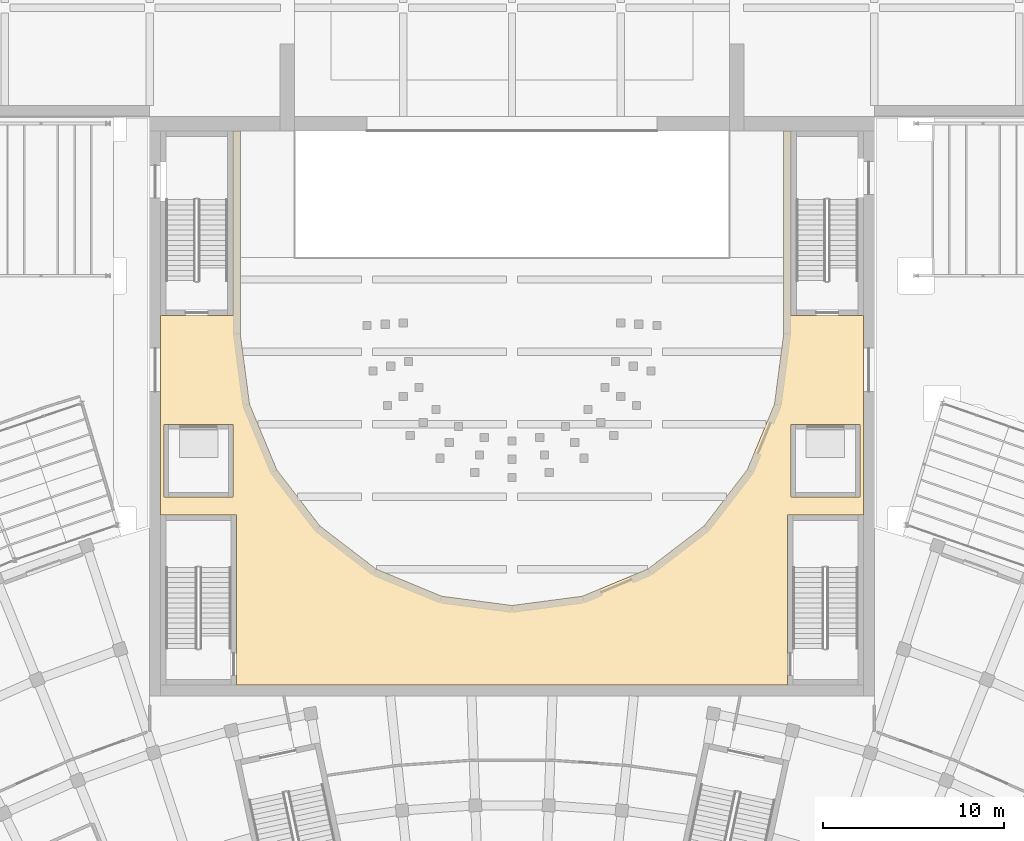
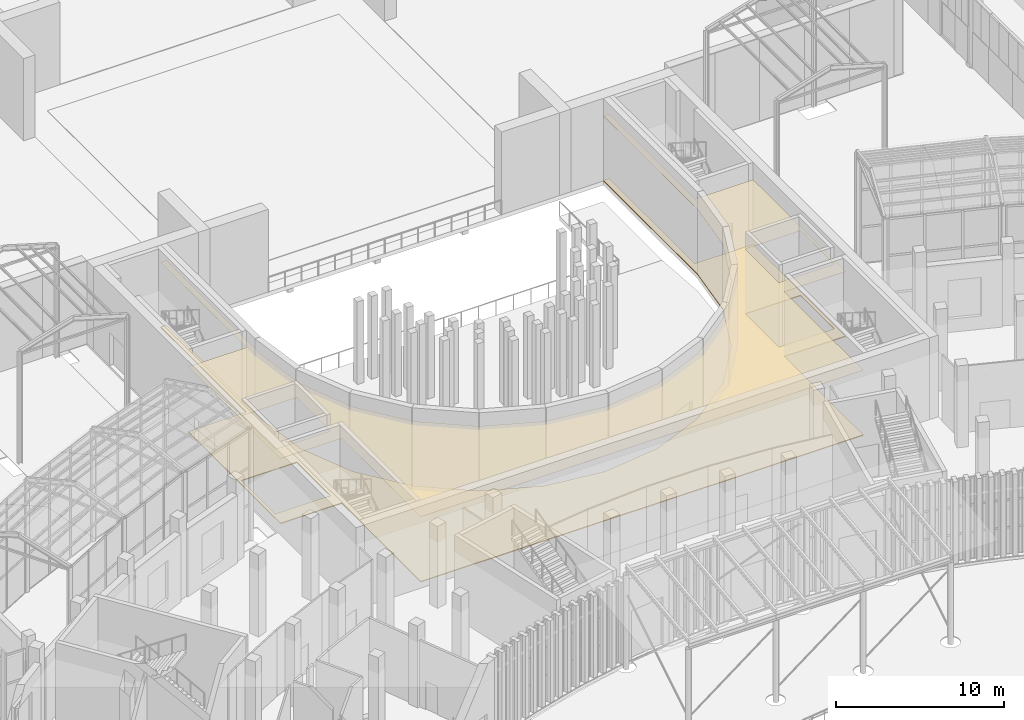
# One storey, part 133 of 155: 2 coverings.
"""IFC4 building model written with IfcOpenShell, lengths in metres."""

from ifc_helpers import new_model, si_unit, direction, frame, origin, place, context, subcontext, project, spatial, polyline, outline, extrude, material, layer, layer_set, type_object, element, save


model = new_model("IFC4")

# Units and contexts
model_context = context("Model", 3, precision=1e-05, world=origin(), true_north=direction((0.0, 1.0)))
body_context = subcontext(model_context, "Body", "Model", "MODEL_VIEW")
ifc_project = project(units=[si_unit("LENGTHUNIT", "METRE"), si_unit("AREAUNIT", "SQUARE_METRE"), si_unit("VOLUMEUNIT", "CUBIC_METRE"), si_unit("PLANEANGLEUNIT", "RADIAN"), si_unit("MASSUNIT", "GRAM", prefix="KILO")], contexts=[model_context])

# Site, building, storey
site_placement = place(None, origin())
site = spatial("IfcSite", under=ifc_project, at=site_placement, CompositionType="ELEMENT")
building_placement = place(site_placement, origin())
building = spatial("IfcBuilding", under=site, at=building_placement, Name="Lunette Opera House", CompositionType="ELEMENT")
storey_placement = place(building_placement, origin())
storey = spatial("IfcBuildingStorey", under=building, at=storey_placement, Name="L00", CompositionType="ELEMENT", Elevation=0.0)

# Coverings
ifc_material_1 = material(Name="Mineral fibre board")
ifc_layer_1 = layer(ifc_material_1, 0.014892578125)
ifc_layer_set_1 = layer_set([ifc_layer_1], Name="Mineral fibre board")
covering_type_1 = type_object("IfcCoveringType", Name="SUSPENDED ACOUSTIC CEILING 15", PredefinedType="CEILING", material=ifc_layer_set_1)
covering_1_placement = place(storey_placement, frame((0.0, 0.0, 4.735107421875)))
element("IfcCovering", 1, at=covering_1_placement, inside=storey, type_object=covering_type_1, Name="Ceiling Stalls Promenade", PredefinedType="CEILING", context=body_context, shape_type="SweptSolid", body=[
    extrude(outline(polyline([(111.199951171875, 74.0), (111.199951171875, 64.60009765625), (80.800048828125, 64.60009765625), (80.800048828125, 74.0), (76.60009765625, 74.0), (76.60009765625, 85.0), (80.60009765625, 85.0), (80.60009765625, 95.199951171875), (81.0, 95.199951171875), (81.0, 84.0), (81.510986328125, 80.117919921875), (83.010009765625, 76.5), (85.39306640625, 73.39306640625), (88.5, 71.010009765625), (92.117919921875, 69.510986328125), (96.0, 69.0), (99.882080078125, 69.510986328125), (103.5, 71.010009765625), (106.60693359375, 73.39306640625), (108.989990234375, 76.5), (110.489013671875, 80.117919921875), (111.0, 84.0), (111.0, 95.199951171875), (111.39990234375, 95.199951171875), (111.39990234375, 85.0), (115.39990234375, 85.0), (115.39990234375, 74.0), (111.199951171875, 74.0)]), holes=[polyline([(115.199951171875, 75.0), (115.199951171875, 79.0), (111.39990234375, 79.0), (111.39990234375, 75.0), (115.199951171875, 75.0)]), polyline([(76.800048828125, 75.0), (80.60009765625, 75.0), (80.60009765625, 79.0), (76.800048828125, 79.0), (76.800048828125, 75.0)])]), origin(), (0.0, 0.0, 1.0), 0.014892578125),
])
ifc_material_2 = material(Name="Terrazzo")
ifc_layer_2 = layer(ifc_material_2, 0.06005859375)
ifc_layer_set_2 = layer_set([ifc_layer_2], Name="Terrazzo")
covering_type_2 = type_object("IfcCoveringType", Name="TERRAZZO FLOOR FINISH 60", PredefinedType="FLOORING", material=ifc_layer_set_2)
covering_2_placement = place(storey_placement, origin())
element("IfcCovering", 2, at=covering_2_placement, inside=storey, type_object=covering_type_2, Name="Floor finish Stalls Promenade", PredefinedType="FLOORING", context=body_context, shape_type="SweptSolid", body=[
    extrude(outline(polyline([(111.199951171875, 74.0), (111.199951171875, 64.60009765625), (80.800048828125, 64.60009765625), (80.800048828125, 74.0), (76.60009765625, 74.0), (76.60009765625, 85.0), (80.60009765625, 85.0), (80.60009765625, 95.199951171875), (81.0, 95.199951171875), (81.0, 84.0), (81.510986328125, 80.117919921875), (83.010009765625, 76.5), (85.39306640625, 73.39306640625), (88.5, 71.010009765625), (92.117919921875, 69.510986328125), (96.0, 69.0), (99.882080078125, 69.510986328125), (103.5, 71.010009765625), (106.60693359375, 73.39306640625), (108.989990234375, 76.5), (110.489013671875, 80.117919921875), (111.0, 84.0), (111.0, 95.199951171875), (111.39990234375, 95.199951171875), (111.39990234375, 85.0), (115.39990234375, 85.0), (115.39990234375, 74.0), (111.199951171875, 74.0)]), holes=[polyline([(115.199951171875, 75.0), (115.199951171875, 79.0), (111.39990234375, 79.0), (111.39990234375, 75.0), (115.199951171875, 75.0)]), polyline([(76.800048828125, 75.0), (80.60009765625, 75.0), (80.60009765625, 79.0), (76.800048828125, 79.0), (76.800048828125, 75.0)])]), origin(), (0.0, 0.0, 1.0), 0.06005859375),
])

save(model, "model.ifc")
